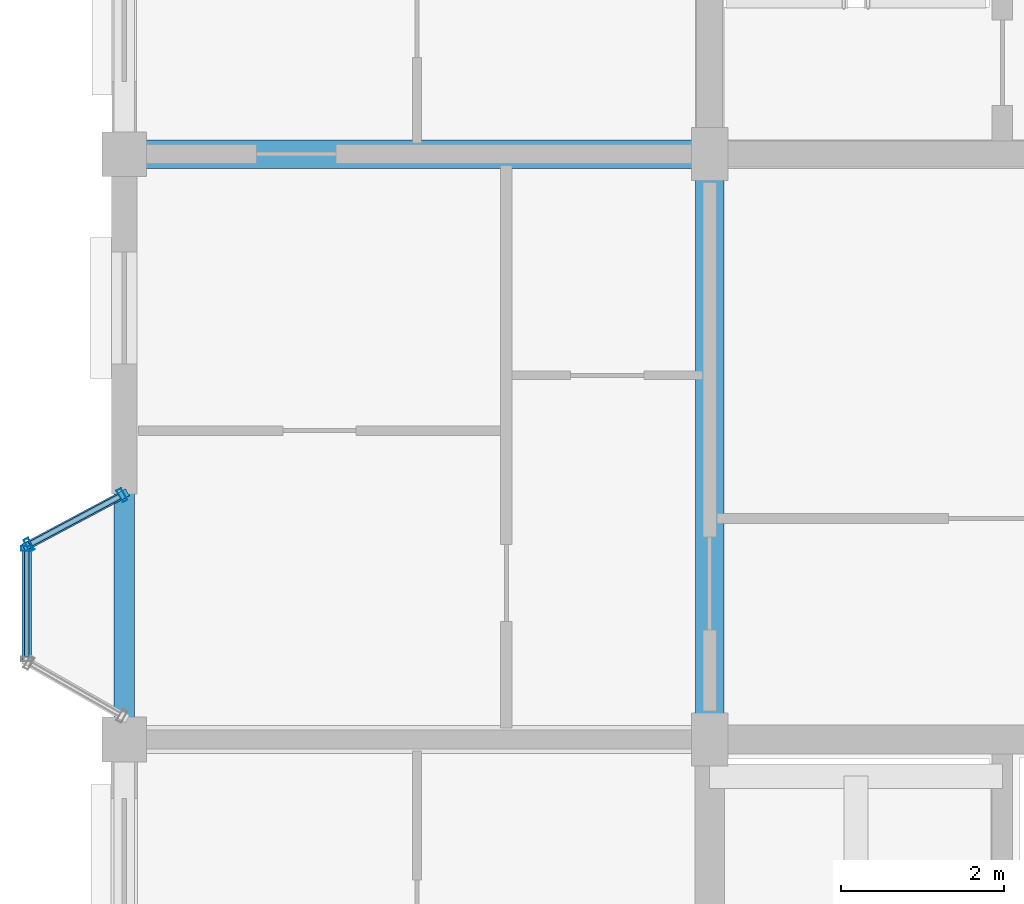
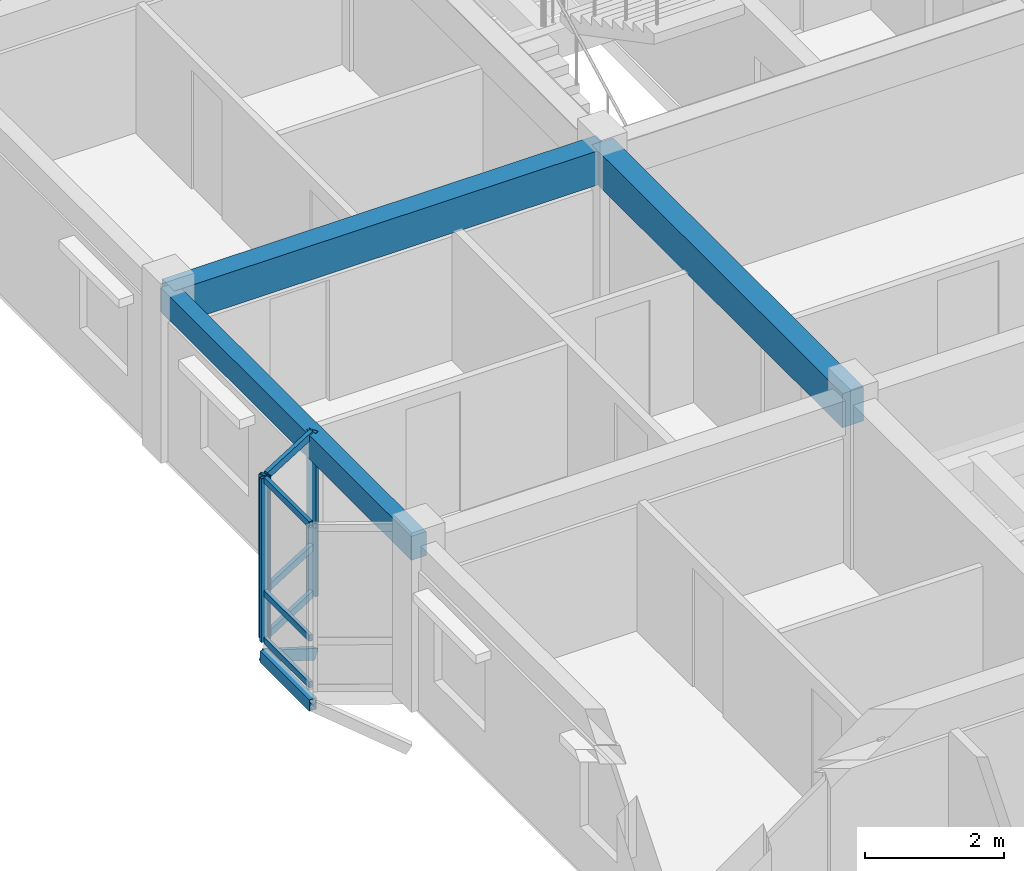
# One storey, part 9 of 75: 11 members, 3 beams, 2 elements without a shape of their own.
"""IFC4 building model written with IfcOpenShell, lengths in metres."""

from ifc_helpers import new_model, si_unit, direction, frame, origin, origin_2d, place, context, subcontext, project, spatial, rectangle, hollow_rectangle, extrude, material, layer, layer_set, material_profile, profile_set, type_object, element, aggregate, save


model = new_model("IFC4")

# Units and contexts
model_context = context("Model", 3, precision=1e-05, world=origin(), true_north=direction((0.0, 1.0)))
body_context = subcontext(model_context, "Body", "Model", "MODEL_VIEW")
ifc_project = project(units=[si_unit("LENGTHUNIT", "METRE"), si_unit("AREAUNIT", "SQUARE_METRE"), si_unit("VOLUMEUNIT", "CUBIC_METRE"), si_unit("PLANEANGLEUNIT", "RADIAN"), si_unit("MASSUNIT", "GRAM", prefix="KILO"), si_unit("THERMODYNAMICTEMPERATUREUNIT", "KELVIN"), si_unit("POWERUNIT", "WATT")], contexts=[model_context])

# Site, building, storey
site_placement = place(None, origin())
site = spatial("IfcSite", under=ifc_project, at=site_placement, CompositionType="ELEMENT")
building_placement = place(site_placement, origin())
building = spatial("IfcBuilding", under=site, at=building_placement, Name="Tavuni Mirador Residences", CompositionType="ELEMENT")
storey_placement = place(building_placement, frame((0.0, 0.0, 20.25)))
storey = spatial("IfcBuildingStorey", under=building, at=storey_placement, Name="L06", CompositionType="ELEMENT", Elevation=20.25)

# Beams
ifc_material_1 = material(Name="Precast concrete C40/50", Category="concrete")
ifc_material_profile_1 = material_profile(ifc_material_1, rectangle(XDim=0.35009765625, YDim=0.60009765625, at=origin_2d()), Name="PC 350x600", Category="concrete")
ifc_profile_set_1 = profile_set([ifc_material_profile_1], Name="Precast concrete C40/50")
beam_type_1 = type_object("IfcBeamType", Name="BT-B600", PredefinedType="BEAM", material=ifc_profile_set_1)
for number, where, z_axis, x_axis, name in (
    (1, (3.60009765625, 28.800048828125, 2.570068359375), (1.0, 0.0, 0.0), (0.0, 1.0, 0.0), "BMX-BLK-A-L06-00-03"),
    (2, (10.800048828125, 21.60009765625, 2.570068359375), (0.0, 1.0, 0.0), (-1.0, 0.0, 0.0), "BMY-BLK-A-L06-01-02"),
):
    element("IfcBeam", number, at=place(storey_placement, frame(where, z_axis=z_axis, x_axis=x_axis)), inside=storey, type_object=beam_type_1, Name=name, PredefinedType="BEAM", context=body_context, shape_type="SweptSolid", body=[
        extrude(rectangle(XDim=0.35009765625, YDim=0.60009765625, at=origin_2d()), origin(), (0.0, 0.0, 1.0), 7.199951171875),
    ])
ifc_material_profile_2 = material_profile(ifc_material_1, rectangle(XDim=0.25, YDim=0.419921875, at=origin_2d()), Name="PC 250x420", Category="concrete")
ifc_profile_set_2 = profile_set([ifc_material_profile_2], Name="Precast concrete C40/50")
beam_type_2 = type_object("IfcBeamType", Name="BT-SP420", PredefinedType="SPANDREL", material=ifc_profile_set_2)
beam_placement = place(storey_placement, frame((3.60009765625, 21.60009765625, 2.659912109375), z_axis=(0.0, 1.0, 0.0), x_axis=(-1.0, 0.0, 0.0)))
element("IfcBeam", 3, at=beam_placement, inside=storey, type_object=beam_type_2, Name="BMY-BLK-A-L06-00-02", PredefinedType="SPANDREL", context=body_context, shape_type="SweptSolid", body=[
    extrude(rectangle(XDim=0.25, YDim=0.419921875, at=origin_2d()), origin(), (0.0, 0.0, 1.0), 7.199951171875),
])

# Curtain wall, member
ifc_material_2 = material(Name="Anodised aluminium", Category="aluminium")
ifc_layer_1 = layer(ifc_material_2, 0.1650390625, Name="Anodised aluminium", Category="aluminium")
ifc_layer_set_1 = layer_set([ifc_layer_1], Name="Anodised aluminium")
curtain_wall_type_1 = type_object("IfcCurtainWallType", Name="CWT-MIR-A", PredefinedType="NOTDEFINED", material=ifc_layer_set_1)
curtain_wall_1_placement = place(storey_placement, origin())
curtain_wall_1 = element("IfcCurtainWall", 4, at=curtain_wall_1_placement, inside=storey, type_object=curtain_wall_type_1, Name="CW-MIR-A-W2-L06-MF", PredefinedType="NOTDEFINED")
ifc_material_profile_3 = material_profile(ifc_material_2, hollow_rectangle(XDim=0.06005859375, YDim=0.139892578125, WallThickness=0.00390625, at=origin_2d()), Name="ALU 60x140x4.0", Category="aluminium")
ifc_profile_set_3 = profile_set([ifc_material_profile_3], Name="Anodised aluminium")
member_type_1 = type_object("IfcMemberType", Name="CWM-140", PredefinedType="MULLION", material=ifc_profile_set_3)
member_1_placement = place(storey_placement, frame((2.39990234375, 23.949951171875, 0.0), z_axis=(0.0, 0.0, 1.0), x_axis=(0.0, -1.0, 0.0)))
member_1 = element("IfcMember", 5, at=member_1_placement, type_object=member_type_1, Name="CW-01 mullion 1", PredefinedType="MULLION", context=body_context, shape_type="SweptSolid", body=[
    extrude(hollow_rectangle(XDim=0.06005859375, YDim=0.139892578125, WallThickness=0.00390625, at=origin_2d()), origin(), (0.0, 0.0, 1.0), 2.8701171875),
])

# Curtain wall, members
ifc_layer_2 = layer(ifc_material_2, 0.159912109375, Name="Anodised aluminium", Category="aluminium")
ifc_layer_set_2 = layer_set([ifc_layer_2], Name="Anodised aluminium")
curtain_wall_type_2 = type_object("IfcCurtainWallType", Name="CWT-MIR-D", PredefinedType="NOTDEFINED", material=ifc_layer_set_2)
curtain_wall_2_placement = place(storey_placement, origin())
curtain_wall_2 = element("IfcCurtainWall", 6, at=curtain_wall_2_placement, inside=storey, type_object=curtain_wall_type_2, Name="CW-MIR-A-W2-L06-M1", PredefinedType="NOTDEFINED")
ifc_material_profile_4 = material_profile(ifc_material_2, hollow_rectangle(XDim=0.06494140625, YDim=0.1650390625, WallThickness=0.00439453125, at=origin_2d()), Name="ALU 65x165x4.5", Category="aluminium")
ifc_profile_set_4 = profile_set([ifc_material_profile_4], Name="Anodised aluminium")
member_type_2 = type_object("IfcMemberType", Name="CWM-165", PredefinedType="MULLION", material=ifc_profile_set_4)
member_2_placement = place(storey_placement, frame((3.5712890625, 24.604736328125, 0.0), z_axis=(0.0, 0.0, 1.0), x_axis=(-0.882352941175, -0.470588235296, 0.0)))
member_2 = element("IfcMember", 7, at=member_2_placement, type_object=member_type_2, Name="CW-04 mullion 1", PredefinedType="MULLION", context=body_context, shape_type="SweptSolid", body=[
    extrude(hollow_rectangle(XDim=0.06494140625, YDim=0.1650390625, WallThickness=0.00439453125, at=origin_2d()), origin(), (0.0, 0.0, 1.0), 2.8701171875),
])
member_3_placement = place(storey_placement, frame((2.4287109375, 23.995361328125, 0.0), z_axis=(0.0, 0.0, 1.0), x_axis=(-0.882352941175, -0.470588235296, 0.0)))
member_3 = element("IfcMember", 8, at=member_3_placement, type_object=member_type_2, Name="CW-04 mullion 2", PredefinedType="MULLION", context=body_context, shape_type="SweptSolid", body=[
    extrude(hollow_rectangle(XDim=0.06494140625, YDim=0.1650390625, WallThickness=0.00439453125, at=origin_2d()), origin(), (0.0, 0.0, 1.0), 2.8701171875),
])

# Member
ifc_material_profile_5 = material_profile(ifc_material_2, hollow_rectangle(XDim=0.06005859375, YDim=0.110107421875, WallThickness=0.00390625, at=origin_2d()), Name="ALU 60x110x4.0", Category="aluminium")
ifc_profile_set_5 = profile_set([ifc_material_profile_5], Name="Anodised aluminium")
member_type_3 = type_object("IfcMemberType", Name="CWT-110", PredefinedType="USERDEFINED", material=ifc_profile_set_5)
member_4_placement = place(storey_placement, frame((2.39990234375, 23.919921875, 0.030029296875), z_axis=(0.0, -1.0, 0.0), x_axis=(1.0, 0.0, 0.0)))
member_4 = element("IfcMember", 9, at=member_4_placement, type_object=member_type_3, Name="CW-01 transom 1.1", ObjectType="TRANSOM", PredefinedType="USERDEFINED", context=body_context, shape_type="SweptSolid", body=[
    extrude(hollow_rectangle(XDim=0.06005859375, YDim=0.110107421875, WallThickness=0.00390625, at=origin_2d()), origin(), (0.0, 0.0, 1.0), 1.2998046875),
])

member_5_placement = place(storey_placement, frame((2.39990234375, 23.919921875, 0.85009765625), z_axis=(0.0, -1.0, 0.0), x_axis=(1.0, 0.0, 0.0)))
member_5 = element("IfcMember", 10, at=member_5_placement, type_object=member_type_3, Name="CW-01 transom 1.2", ObjectType="TRANSOM", PredefinedType="USERDEFINED", context=body_context, shape_type="SweptSolid", body=[
    extrude(hollow_rectangle(XDim=0.06005859375, YDim=0.110107421875, WallThickness=0.00390625, at=origin_2d()), origin(), (0.0, 0.0, 1.0), 1.2998046875),
])

member_6_placement = place(storey_placement, frame((2.39990234375, 23.919921875, 2.840087890625), z_axis=(0.0, -1.0, 0.0), x_axis=(1.0, 0.0, 0.0)))
member_6 = element("IfcMember", 11, at=member_6_placement, type_object=member_type_3, Name="CW-01 transom 1.3", ObjectType="TRANSOM", PredefinedType="USERDEFINED", context=body_context, shape_type="SweptSolid", body=[
    extrude(hollow_rectangle(XDim=0.06005859375, YDim=0.110107421875, WallThickness=0.00390625, at=origin_2d()), origin(), (0.0, 0.0, 1.0), 1.2998046875),
])

aggregate(curtain_wall_1, [member_1, member_4, member_5, member_6])

ifc_material_profile_6 = material_profile(ifc_material_2, hollow_rectangle(XDim=0.06494140625, YDim=0.125, WallThickness=0.00439453125, at=origin_2d()), Name="ALU 65x125x4.5", Category="aluminium")
ifc_profile_set_6 = profile_set([ifc_material_profile_6], Name="Anodised aluminium")
member_type_4 = type_object("IfcMemberType", Name="CWT-125", PredefinedType="USERDEFINED", material=ifc_profile_set_6)
member_7_placement = place(storey_placement, frame((3.542724609375, 24.58935546875, 0.032470703125), z_axis=(-0.882369422046, -0.47055733236, 0.0), x_axis=(0.47055733236, -0.882369422046, 0.0)))
member_7 = element("IfcMember", 12, at=member_7_placement, type_object=member_type_4, Name="CW-04 transom 1.1", ObjectType="TRANSOM", PredefinedType="USERDEFINED", context=body_context, shape_type="SweptSolid", body=[
    extrude(hollow_rectangle(XDim=0.06494140625, YDim=0.125, WallThickness=0.00439453125, at=origin_2d()), origin(), (0.0, 0.0, 1.0), 1.230224609375),
])

member_8_placement = place(storey_placement, frame((3.542724609375, 24.58935546875, 0.85009765625), z_axis=(-0.882369422046, -0.47055733236, 0.0), x_axis=(0.47055733236, -0.882369422046, 0.0)))
member_8 = element("IfcMember", 13, at=member_8_placement, type_object=member_type_4, Name="CW-04 transom 1.2", ObjectType="TRANSOM", PredefinedType="USERDEFINED", context=body_context, shape_type="SweptSolid", body=[
    extrude(hollow_rectangle(XDim=0.06494140625, YDim=0.125, WallThickness=0.00439453125, at=origin_2d()), origin(), (0.0, 0.0, 1.0), 1.230224609375),
])

member_9_placement = place(storey_placement, frame((3.542724609375, 24.58935546875, 2.83740234375), z_axis=(-0.882369422046, -0.47055733236, 0.0), x_axis=(0.47055733236, -0.882369422046, 0.0)))
member_9 = element("IfcMember", 14, at=member_9_placement, type_object=member_type_4, Name="CW-04 transom 1.3", ObjectType="TRANSOM", PredefinedType="USERDEFINED", context=body_context, shape_type="SweptSolid", body=[
    extrude(hollow_rectangle(XDim=0.06494140625, YDim=0.125, WallThickness=0.00439453125, at=origin_2d()), origin(), (0.0, 0.0, 1.0), 1.230224609375),
])

aggregate(curtain_wall_2, [member_2, member_3, member_7, member_8, member_9])

# Members
ifc_material_3 = material(Name="Structural steel S355", Category="steel")
ifc_material_profile_7 = material_profile(ifc_material_3, hollow_rectangle(XDim=0.10009765625, YDim=0.179931640625, WallThickness=0.008056640625, at=origin_2d()), Name="RHS 180x100x8.0", Category="steel")
ifc_profile_set_7 = profile_set([ifc_material_profile_7], Name="Structural steel S355")
member_type_5 = type_object("IfcMemberType", Name="MT-BR-RHS180", PredefinedType="BRACE", material=ifc_profile_set_7)
member_10_placement = place(storey_placement, frame((3.60009765625, 24.6201171875, -1.050048828125), z_axis=(-0.767847080655, -0.409539268811, 0.492634192918), x_axis=(0.470606866739, -0.882343004153, 0.0)))
element("IfcMember", 15, at=member_10_placement, inside=storey, type_object=member_type_5, Name="MBRK-MIR-A-W2-L06-2", PredefinedType="BRACE", context=body_context, shape_type="SweptSolid", body=[
    extrude(hollow_rectangle(XDim=0.10009765625, YDim=0.179931640625, WallThickness=0.008056640625, at=origin_2d()), origin(), (0.0, 0.0, 1.0), 1.56298828125),
])
ifc_material_profile_8 = material_profile(ifc_material_3, hollow_rectangle(XDim=0.1201171875, YDim=0.199951171875, WallThickness=0.010009765625, at=origin_2d()), Name="RHS 200x120x10.0", Category="steel")
ifc_profile_set_8 = profile_set([ifc_material_profile_8], Name="Structural steel S355")
member_type_6 = type_object("IfcMemberType", Name="MT-ST-RHS200", PredefinedType="STRUT", material=ifc_profile_set_8)
member_11_placement = place(storey_placement, frame((2.39990234375, 22.56005859375, -0.280029296875), z_axis=(0.0, 1.0, 0.0), x_axis=(-1.0, 0.0, 0.0)))
element("IfcMember", 16, at=member_11_placement, inside=storey, type_object=member_type_6, Name="MRIM-MIR-A-W2-L06", PredefinedType="STRUT", context=body_context, shape_type="SweptSolid", body=[
    extrude(hollow_rectangle(XDim=0.1201171875, YDim=0.199951171875, WallThickness=0.010009765625, at=origin_2d()), origin(), (0.0, 0.0, 1.0), 1.419921875),
])

save(model, "model.ifc")
